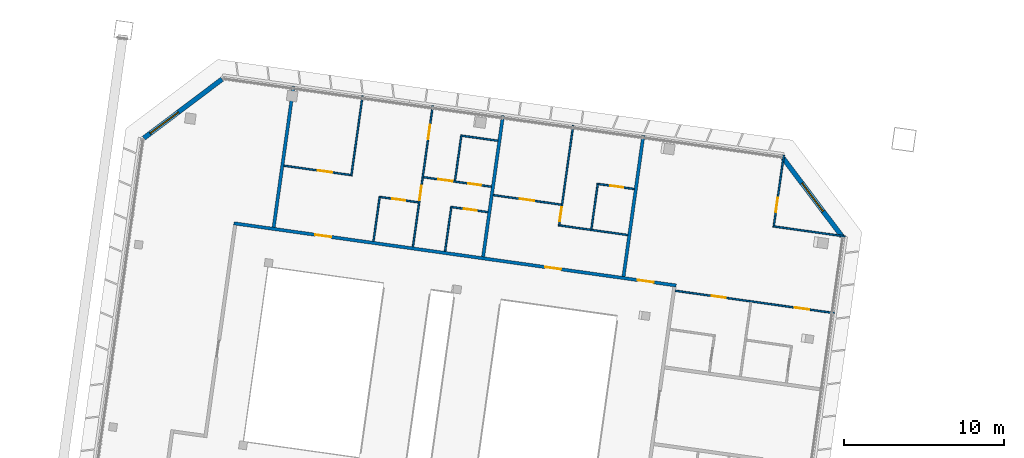
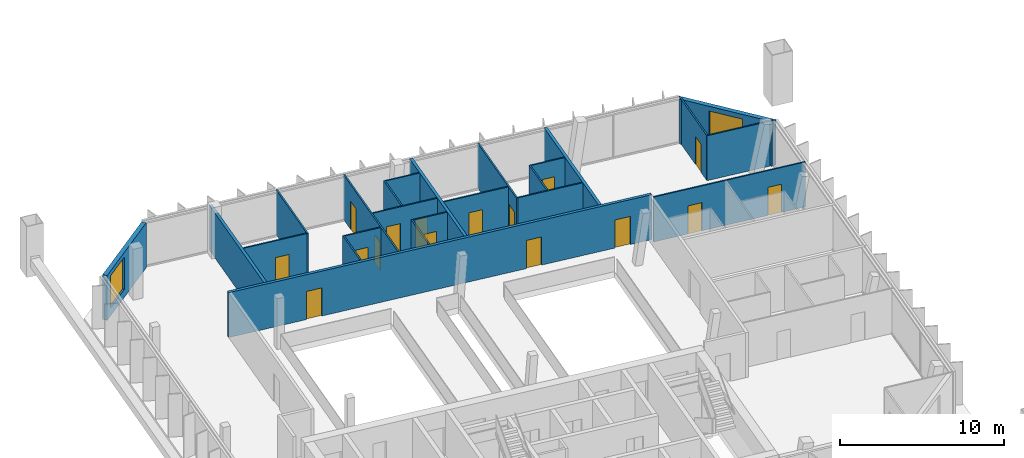
# One storey, part 18 of 26: 24 walls, 16 doors, 2 windows, 18 openings.
"""IFC4 building model written with IfcOpenShell, lengths in metres."""

from ifc_helpers import new_model, si_unit, direction, frame, frame_2d, origin, place, context, subcontext, project, spatial, rectangle, extrude, material, layer, layer_set, type_object, element, fill, save


model = new_model("IFC4")

# Units and contexts
model_context = context("Model", 3, precision=1e-05, world=origin(), true_north=direction((0.0, 1.0)))
body_context = subcontext(model_context, "Body", "Model", "MODEL_VIEW")
ifc_project = project(units=[si_unit("LENGTHUNIT", "METRE"), si_unit("AREAUNIT", "SQUARE_METRE"), si_unit("VOLUMEUNIT", "CUBIC_METRE"), si_unit("PLANEANGLEUNIT", "RADIAN"), si_unit("MASSUNIT", "GRAM", prefix="KILO")], contexts=[model_context])

# Site, building, storey
site_placement = place(None, origin())
site = spatial("IfcSite", under=ifc_project, at=site_placement, CompositionType="ELEMENT")
building_placement = place(site_placement, origin())
building = spatial("IfcBuilding", under=site, at=building_placement, Name="Mirante Cascada Hotel Towers", CompositionType="ELEMENT")
storey_placement = place(building_placement, frame((0.0, 0.0, 235.6)))
storey = spatial("IfcBuildingStorey", under=building, at=storey_placement, Name="L56", CompositionType="ELEMENT", Elevation=235.6)

# Wall, openings, doors
ifc_material_1 = material(Name="Fire-rated plasterboard on metal studs")
ifc_layer_1 = layer(ifc_material_1, 0.2)
ifc_layer_set_1 = layer_set([ifc_layer_1], Name="Compartment wall 200 EI 120")
wall_type_1 = type_object("IfcWallType", Name="Compartment wall 200 EI 120", PredefinedType="PARTITIONING", material=ifc_layer_set_1)
wall_1_placement = place(storey_placement, frame((-57.8212, 12.0083, 0.0), z_axis=(0.0, 0.0, 1.0), x_axis=(0.9902682, -0.139172, 0.0)))
wall_1 = element("IfcWall", 1, at=wall_1_placement, inside=storey, type_object=wall_type_1, Name="Wall 1-L56-14", PredefinedType="PARTITIONING", context=body_context, shape_type="SweptSolid", body=[
    extrude(rectangle(XDim=27.9, YDim=0.2, at=frame_2d((13.95, 0.0))), origin(), (0.0, 0.0, 1.0), 3.35),
])
opening_1_placement = place(wall_1_placement, frame((25.482, 0.0, 0.0)))
opening_1 = element("IfcOpeningElement", 2, at=opening_1_placement, cuts=wall_1, Name="Opening D1-L56-06", PredefinedType="OPENING", context=body_context, shape_type="SweptSolid", body=[
    extrude(rectangle(XDim=1.0, YDim=2.1, at=frame_2d((0.5, 1.05))), frame((0.0, 0.1, 0.0), z_axis=(0.0, -1.0, 0.0), x_axis=(1.0, 0.0, 0.0)), (0.0, 0.0, 1.0), 0.2),
])
opening_2_placement = place(wall_1_placement, frame((19.6366, 0.0, 0.0)))
opening_2 = element("IfcOpeningElement", 3, at=opening_2_placement, cuts=wall_1, Name="Opening D1-L56-07", PredefinedType="OPENING", context=body_context, shape_type="SweptSolid", body=[
    extrude(rectangle(XDim=1.0, YDim=2.1, at=frame_2d((0.5, 1.05))), frame((0.0, 0.1, 0.0), z_axis=(0.0, -1.0, 0.0), x_axis=(1.0, 0.0, 0.0)), (0.0, 0.0, 1.0), 0.2),
])
opening_3_placement = place(wall_1_placement, frame((5.1467, 0.0, 0.0)))
opening_3 = element("IfcOpeningElement", 4, at=opening_3_placement, cuts=wall_1, Name="Opening D1-L56-08", PredefinedType="OPENING", context=body_context, shape_type="SweptSolid", body=[
    extrude(rectangle(XDim=1.0, YDim=2.1, at=frame_2d((0.5, 1.05))), frame((0.0, 0.1, 0.0), z_axis=(0.0, -1.0, 0.0), x_axis=(1.0, 0.0, 0.0)), (0.0, 0.0, 1.0), 0.2),
])
ifc_material_2 = material(Name="Fire-rated timber door leaf", Category="wood")
door_type_1 = type_object("IfcDoorType", Name="Entrance door DG1 1000x2100 EI 60", OperationType="SINGLE_SWING_LEFT", PredefinedType="DOOR", material=ifc_material_2)
door_1_placement = place(opening_1_placement, origin())
door_1 = element("IfcDoor", 5, at=door_1_placement, inside=storey, type_object=door_type_1, Name="Door D1-L56-06", OperationType="SINGLE_SWING_LEFT", OverallHeight=2.1, OverallWidth=1.0, PredefinedType="DOOR", context=body_context, shape_type="SweptSolid", body=[
    extrude(rectangle(XDim=1.0, YDim=2.1, at=frame_2d((0.5, 1.05))), frame((0.0, 0.025, 0.0), z_axis=(0.0, -1.0, 0.0), x_axis=(1.0, 0.0, 0.0)), (0.0, 0.0, 1.0), 0.05),
])
fill(opening_1, door_1)
door_2_placement = place(opening_2_placement, origin())
door_2 = element("IfcDoor", 6, at=door_2_placement, inside=storey, type_object=door_type_1, Name="Door D1-L56-07", OperationType="SINGLE_SWING_LEFT", OverallHeight=2.1, OverallWidth=1.0, PredefinedType="DOOR", context=body_context, shape_type="SweptSolid", body=[
    extrude(rectangle(XDim=1.0, YDim=2.1, at=frame_2d((0.5, 1.05))), frame((0.0, 0.025, 0.0), z_axis=(0.0, -1.0, 0.0), x_axis=(1.0, 0.0, 0.0)), (0.0, 0.0, 1.0), 0.05),
])
fill(opening_2, door_2)
door_3_placement = place(opening_3_placement, origin())
door_3 = element("IfcDoor", 7, at=door_3_placement, inside=storey, type_object=door_type_1, Name="Door D1-L56-08", OperationType="SINGLE_SWING_LEFT", OverallHeight=2.1, OverallWidth=1.0, PredefinedType="DOOR", context=body_context, shape_type="SweptSolid", body=[
    extrude(rectangle(XDim=1.0, YDim=2.1, at=frame_2d((0.5, 1.05))), frame((0.0, 0.025, 0.0), z_axis=(0.0, -1.0, 0.0), x_axis=(1.0, 0.0, 0.0)), (0.0, 0.0, 1.0), 0.05),
])
fill(opening_3, door_3)

# Walls
for number, where, z_axis, x_axis, name in (
    (8, (-33.4824, 8.6887, 0.0), (0.0, 0.0, 1.0), (0.1391684, 0.9902687, 0.0), "Wall 1-L56-33"),
    (9, (-41.0122, 18.7344, 0.0), (0.0, 0.0, 1.0), (-0.1391684, -0.9902687, 0.0), "Wall 1-L56-36"),
    (10, (-54.0929, 20.5728, 0.0), (0.0, 0.0, 1.0), (-0.1391794, -0.9902672, 0.0), "Wall 1-L56-42"),
):
    element("IfcWall", number, at=place(storey_placement, frame(where, z_axis=z_axis, x_axis=x_axis)), inside=storey, type_object=wall_type_1, Name=name, PredefinedType="PARTITIONING", context=body_context, shape_type="SweptSolid", body=[
        extrude(rectangle(XDim=8.9, YDim=0.2, at=frame_2d((4.45, 0.0))), origin(), (0.0, 0.0, 1.0), 3.35),
    ])

# Wall, openings, doors
ifc_material_3 = material(Name="Plasterboard on metal studs")
ifc_layer_2 = layer(ifc_material_3, 0.1)
ifc_layer_set_2 = layer_set([ifc_layer_2], Name="Partition 100")
wall_type_2 = type_object("IfcWallType", Name="Partition 100", PredefinedType="PARTITIONING", material=ifc_layer_set_2)
wall_2_placement = place(storey_placement, frame((-20.3181, 6.401, 0.0), z_axis=(0.0, 0.0, 1.0), x_axis=(-0.9902681, 0.1391726, 0.0)))
wall_2 = element("IfcWall", 11, at=wall_2_placement, inside=storey, type_object=wall_type_2, Name="Wall 1-L56-13", PredefinedType="PARTITIONING", context=body_context, shape_type="SweptSolid", body=[
    extrude(rectangle(XDim=10.0185, YDim=0.1, at=frame_2d((5.0092, 0.0))), origin(), (0.0, 0.0, 1.0), 3.35),
])
opening_4_placement = place(wall_2_placement, frame((1.5796, 0.0, 0.0)))
opening_4 = element("IfcOpeningElement", 12, at=opening_4_placement, cuts=wall_2, Name="Opening D1-L56-04", PredefinedType="OPENING", context=body_context, shape_type="SweptSolid", body=[
    extrude(rectangle(XDim=0.9, YDim=2.1, at=frame_2d((0.45, 1.05))), frame((0.0, 0.05, 0.0), z_axis=(0.0, -1.0, 0.0), x_axis=(1.0, 0.0, 0.0)), (0.0, 0.0, 1.0), 0.1),
])
opening_5_placement = place(wall_2_placement, frame((6.8389, 0.0, 0.0)))
opening_5 = element("IfcOpeningElement", 13, at=opening_5_placement, cuts=wall_2, Name="Opening D1-L56-05", PredefinedType="OPENING", context=body_context, shape_type="SweptSolid", body=[
    extrude(rectangle(XDim=0.9, YDim=2.1, at=frame_2d((0.45, 1.05))), frame((0.0, 0.05, 0.0), z_axis=(0.0, -1.0, 0.0), x_axis=(1.0, 0.0, 0.0)), (0.0, 0.0, 1.0), 0.1),
])
ifc_material_4 = material(Name="Timber door leaf", Category="wood")
door_type_2 = type_object("IfcDoorType", Name="Room door DG3 900x2100", OperationType="SINGLE_SWING_LEFT", PredefinedType="DOOR", material=ifc_material_4)
door_4_placement = place(opening_4_placement, frame((0.9, 0.0, 0.0), z_axis=(0.0, 0.0, 1.0), x_axis=(-1.0, 0.0, 0.0)))
door_4 = element("IfcDoor", 14, at=door_4_placement, inside=storey, type_object=door_type_2, Name="Door D1-L56-04", OperationType="SINGLE_SWING_RIGHT", OverallHeight=2.1, OverallWidth=0.9, PredefinedType="DOOR", context=body_context, shape_type="SweptSolid", body=[
    extrude(rectangle(XDim=0.9, YDim=2.1, at=frame_2d((0.45, 1.05))), frame((0.0, 0.025, 0.0), z_axis=(0.0, -1.0, 0.0), x_axis=(1.0, 0.0, 0.0)), (0.0, 0.0, 1.0), 0.05),
])
fill(opening_4, door_4)
door_5_placement = place(opening_5_placement, frame((0.9, 0.0, 0.0), z_axis=(0.0, 0.0, 1.0), x_axis=(-1.0, 0.0, 0.0)))
door_5 = element("IfcDoor", 15, at=door_5_placement, inside=storey, type_object=door_type_2, Name="Door D1-L56-05", OperationType="SINGLE_SWING_RIGHT", OverallHeight=2.1, OverallWidth=0.9, PredefinedType="DOOR", context=body_context, shape_type="SweptSolid", body=[
    extrude(rectangle(XDim=0.9, YDim=2.1, at=frame_2d((0.45, 1.05))), frame((0.0, 0.025, 0.0), z_axis=(0.0, -1.0, 0.0), x_axis=(1.0, 0.0, 0.0)), (0.0, 0.0, 1.0), 0.05),
])
fill(opening_5, door_5)

# Wall
wall_3_placement = place(storey_placement, frame((-33.2196, 11.2773, 0.0), z_axis=(0.0, 0.0, 1.0), x_axis=(-0.9902677, 0.1391757, 0.0)))
element("IfcWall", 16, at=wall_3_placement, inside=storey, type_object=wall_type_2, Name="Wall 1-L56-15", PredefinedType="PARTITIONING", context=body_context, shape_type="SweptSolid", body=[
    extrude(rectangle(XDim=4.2773, YDim=0.1, at=frame_2d((2.1386, 0.0))), origin(), (0.0, 0.0, 1.0), 3.35),
])

# Wall, opening, door
wall_4_placement = place(storey_placement, frame((-44.1883, 13.0208, 0.0), z_axis=(0.0, 0.0, 1.0), x_axis=(0.9902705, -0.1391561, 0.0)))
wall_4 = element("IfcWall", 17, at=wall_4_placement, inside=storey, type_object=wall_type_2, Name="Wall 1-L56-16", PredefinedType="PARTITIONING", context=body_context, shape_type="SweptSolid", body=[
    extrude(rectangle(XDim=2.25, YDim=0.1, at=frame_2d((1.125, 0.0))), origin(), (0.0, 0.0, 1.0), 3.35),
])
opening_6_placement = place(wall_4_placement, frame((0.75, 0.0, 0.0)))
opening_6 = element("IfcOpeningElement", 18, at=opening_6_placement, cuts=wall_4, Name="Opening D1-L56-09", PredefinedType="OPENING", context=body_context, shape_type="SweptSolid", body=[
    extrude(rectangle(XDim=0.8, YDim=2.1, at=frame_2d((0.4, 1.05))), frame((0.0, 0.05, 0.0), z_axis=(0.0, -1.0, 0.0), x_axis=(1.0, 0.0, 0.0)), (0.0, 0.0, 1.0), 0.1),
])
ifc_material_5 = material(Name="Timber door leaf", Category="wood")
door_type_3 = type_object("IfcDoorType", Name="Bathroom door DG4 800x2100", OperationType="SINGLE_SWING_LEFT", PredefinedType="DOOR", material=ifc_material_5)
door_6_placement = place(opening_6_placement, frame((0.8, 0.0, 0.0), z_axis=(0.0, 0.0, 1.0), x_axis=(-1.0, 0.0, 0.0)))
door_6 = element("IfcDoor", 19, at=door_6_placement, inside=storey, type_object=door_type_3, Name="Door D1-L56-09", OperationType="SINGLE_SWING_RIGHT", OverallHeight=2.1, OverallWidth=0.8, PredefinedType="DOOR", context=body_context, shape_type="SweptSolid", body=[
    extrude(rectangle(XDim=0.8, YDim=2.1, at=frame_2d((0.4, 1.05))), frame((0.0, 0.025, 0.0), z_axis=(0.0, -1.0, 0.0), x_axis=(1.0, 0.0, 0.0)), (0.0, 0.0, 1.0), 0.05),
])
fill(opening_6, door_6)

wall_5_placement = place(storey_placement, frame((-46.2949, 13.3169, 0.0), z_axis=(0.0, 0.0, 1.0), x_axis=(-0.9902693, 0.1391644, 0.0)))
wall_5 = element("IfcWall", 20, at=wall_5_placement, inside=storey, type_object=wall_type_2, Name="Wall 1-L56-17", PredefinedType="PARTITIONING", context=body_context, shape_type="SweptSolid", body=[
    extrude(rectangle(XDim=2.3885, YDim=0.1, at=frame_2d((1.1942, 0.0))), origin(), (0.0, 0.0, 1.0), 3.35),
])
opening_7_placement = place(wall_5_placement, frame((0.8386, 0.0, 0.0)))
opening_7 = element("IfcOpeningElement", 21, at=opening_7_placement, cuts=wall_5, Name="Opening D1-L56-10", PredefinedType="OPENING", context=body_context, shape_type="SweptSolid", body=[
    extrude(rectangle(XDim=0.8, YDim=2.1, at=frame_2d((0.4, 1.05))), frame((0.0, 0.05, 0.0), z_axis=(0.0, -1.0, 0.0), x_axis=(1.0, 0.0, 0.0)), (0.0, 0.0, 1.0), 0.1),
])
door_7_placement = place(opening_7_placement, frame((0.8, 0.0, 0.0), z_axis=(0.0, 0.0, 1.0), x_axis=(-1.0, 0.0, 0.0)))
door_7 = element("IfcDoor", 22, at=door_7_placement, inside=storey, type_object=door_type_3, Name="Door D1-L56-10", OperationType="SINGLE_SWING_RIGHT", OverallHeight=2.1, OverallWidth=0.8, PredefinedType="DOOR", context=body_context, shape_type="SweptSolid", body=[
    extrude(rectangle(XDim=0.8, YDim=2.1, at=frame_2d((0.4, 1.05))), frame((0.0, 0.025, 0.0), z_axis=(0.0, -1.0, 0.0), x_axis=(1.0, 0.0, 0.0)), (0.0, 0.0, 1.0), 0.05),
])
fill(opening_7, door_7)

wall_6_placement = place(storey_placement, frame((-41.609, 13.7691, 0.0), z_axis=(0.0, 0.0, 1.0), x_axis=(0.9902673, -0.1391789, 0.0)))
wall_6 = element("IfcWall", 23, at=wall_6_placement, inside=storey, type_object=wall_type_2, Name="Wall 1-L56-18", PredefinedType="PARTITIONING", context=body_context, shape_type="SweptSolid", body=[
    extrude(rectangle(XDim=4.2772, YDim=0.1, at=frame_2d((2.1386, 0.0))), origin(), (0.0, 0.0, 1.0), 3.35),
])
opening_8_placement = place(wall_6_placement, frame((1.6636, 0.0, 0.0)))
opening_8 = element("IfcOpeningElement", 24, at=opening_8_placement, cuts=wall_6, Name="Opening D1-L56-11", PredefinedType="OPENING", context=body_context, shape_type="SweptSolid", body=[
    extrude(rectangle(XDim=0.9, YDim=2.1, at=frame_2d((0.45, 1.05))), frame((0.0, 0.05, 0.0), z_axis=(0.0, -1.0, 0.0), x_axis=(1.0, 0.0, 0.0)), (0.0, 0.0, 1.0), 0.1),
])
door_8_placement = place(opening_8_placement, frame((0.9, 0.0, 0.0), z_axis=(0.0, 0.0, 1.0), x_axis=(-1.0, 0.0, 0.0)))
door_8 = element("IfcDoor", 25, at=door_8_placement, inside=storey, type_object=door_type_2, Name="Door D1-L56-11", OperationType="SINGLE_SWING_RIGHT", OverallHeight=2.1, OverallWidth=0.9, PredefinedType="DOOR", context=body_context, shape_type="SweptSolid", body=[
    extrude(rectangle(XDim=0.9, YDim=2.1, at=frame_2d((0.45, 1.05))), frame((0.0, 0.025, 0.0), z_axis=(0.0, -1.0, 0.0), x_axis=(1.0, 0.0, 0.0)), (0.0, 0.0, 1.0), 0.05),
])
fill(opening_8, door_8)

wall_7_placement = place(storey_placement, frame((-50.5261, 15.0223, 0.0), z_axis=(0.0, 0.0, 1.0), x_axis=(-0.9902671, 0.1391801, 0.0)))
wall_7 = element("IfcWall", 26, at=wall_7_placement, inside=storey, type_object=wall_type_2, Name="Wall 1-L56-19", PredefinedType="PARTITIONING", context=body_context, shape_type="SweptSolid", body=[
    extrude(rectangle(XDim=4.2046, YDim=0.1, at=frame_2d((2.1023, 0.0))), origin(), (0.0, 0.0, 1.0), 3.35),
])
opening_9_placement = place(wall_7_placement, frame((1.1773, 0.0, 0.0)))
opening_9 = element("IfcOpeningElement", 27, at=opening_9_placement, cuts=wall_7, Name="Opening D1-L56-12", PredefinedType="OPENING", context=body_context, shape_type="SweptSolid", body=[
    extrude(rectangle(XDim=0.9, YDim=2.1, at=frame_2d((0.45, 1.05))), frame((0.0, 0.05, 0.0), z_axis=(0.0, -1.0, 0.0), x_axis=(1.0, 0.0, 0.0)), (0.0, 0.0, 1.0), 0.1),
])
door_9_placement = place(opening_9_placement, frame((0.9, 0.0, 0.0), z_axis=(0.0, 0.0, 1.0), x_axis=(-1.0, 0.0, 0.0)))
door_9 = element("IfcDoor", 28, at=door_9_placement, inside=storey, type_object=door_type_2, Name="Door D1-L56-12", OperationType="SINGLE_SWING_RIGHT", OverallHeight=2.1, OverallWidth=0.9, PredefinedType="DOOR", context=body_context, shape_type="SweptSolid", body=[
    extrude(rectangle(XDim=0.9, YDim=2.1, at=frame_2d((0.45, 1.05))), frame((0.0, 0.025, 0.0), z_axis=(0.0, -1.0, 0.0), x_axis=(1.0, 0.0, 0.0)), (0.0, 0.0, 1.0), 0.05),
])
fill(opening_9, door_9)

# Wall
wall_8_placement = place(storey_placement, frame((-24.1511, 11.8205, 0.0), z_axis=(0.0, 0.0, 1.0), x_axis=(0.9902691, -0.1391656, 0.0)))
element("IfcWall", 29, at=wall_8_placement, inside=storey, type_object=wall_type_2, Name="Wall 1-L56-20", PredefinedType="PARTITIONING", context=body_context, shape_type="SweptSolid", body=[
    extrude(rectangle(XDim=4.55, YDim=0.1, at=frame_2d((2.275, 0.0))), origin(), (0.0, 0.0, 1.0), 3.35),
])

# Wall, openings, doors
wall_9_placement = place(storey_placement, frame((-41.7375, 14.2921, 0.0), z_axis=(0.0, 0.0, 1.0), x_axis=(-0.9902677, 0.1391757, 0.0)))
wall_9 = element("IfcWall", 30, at=wall_9_placement, inside=storey, type_object=wall_type_2, Name="Wall 1-L56-21", PredefinedType="PARTITIONING", context=body_context, shape_type="SweptSolid", body=[
    extrude(rectangle(XDim=4.2773, YDim=0.1, at=frame_2d((2.1386, 0.0))), origin(), (0.0, 0.0, 1.0), 3.35),
])
opening_10_placement = place(wall_9_placement, frame((0.65, 0.0, 0.0)))
opening_10 = element("IfcOpeningElement", 31, at=opening_10_placement, cuts=wall_9, Name="Opening D1-L56-13", PredefinedType="OPENING", context=body_context, shape_type="SweptSolid", body=[
    extrude(rectangle(XDim=0.8, YDim=2.1, at=frame_2d((0.4, 1.05))), frame((0.0, 0.05, 0.0), z_axis=(0.0, -1.0, 0.0), x_axis=(1.0, 0.0, 0.0)), (0.0, 0.0, 1.0), 0.1),
])
opening_11_placement = place(wall_9_placement, frame((2.45, 0.0, 0.0)))
opening_11 = element("IfcOpeningElement", 32, at=opening_11_placement, cuts=wall_9, Name="Opening D1-L56-14", PredefinedType="OPENING", context=body_context, shape_type="SweptSolid", body=[
    extrude(rectangle(XDim=0.9, YDim=2.1, at=frame_2d((0.45, 1.05))), frame((0.0, 0.05, 0.0), z_axis=(0.0, -1.0, 0.0), x_axis=(1.0, 0.0, 0.0)), (0.0, 0.0, 1.0), 0.1),
])
door_10_placement = place(opening_10_placement, origin())
door_10 = element("IfcDoor", 33, at=door_10_placement, inside=storey, type_object=door_type_3, Name="Door D1-L56-13", OperationType="SINGLE_SWING_LEFT", OverallHeight=2.1, OverallWidth=0.8, PredefinedType="DOOR", context=body_context, shape_type="SweptSolid", body=[
    extrude(rectangle(XDim=0.8, YDim=2.1, at=frame_2d((0.4, 1.05))), frame((0.0, 0.025, 0.0), z_axis=(0.0, -1.0, 0.0), x_axis=(1.0, 0.0, 0.0)), (0.0, 0.0, 1.0), 0.05),
])
fill(opening_10, door_10)
door_11_placement = place(opening_11_placement, frame((0.9, 0.0, 0.0), z_axis=(0.0, 0.0, 1.0), x_axis=(-1.0, 0.0, 0.0)))
door_11 = element("IfcDoor", 34, at=door_11_placement, inside=storey, type_object=door_type_2, Name="Door D1-L56-14", OperationType="SINGLE_SWING_RIGHT", OverallHeight=2.1, OverallWidth=0.9, PredefinedType="DOOR", context=body_context, shape_type="SweptSolid", body=[
    extrude(rectangle(XDim=0.9, YDim=2.1, at=frame_2d((0.45, 1.05))), frame((0.0, 0.025, 0.0), z_axis=(0.0, -1.0, 0.0), x_axis=(1.0, 0.0, 0.0)), (0.0, 0.0, 1.0), 0.05),
])
fill(opening_11, door_11)

# Wall, opening, door
wall_10_placement = place(storey_placement, frame((-35.0441, 14.4622, 0.0), z_axis=(0.0, 0.0, 1.0), x_axis=(0.9902705, -0.1391561, 0.0)))
wall_10 = element("IfcWall", 35, at=wall_10_placement, inside=storey, type_object=wall_type_2, Name="Wall 1-L56-22", PredefinedType="PARTITIONING", context=body_context, shape_type="SweptSolid", body=[
    extrude(rectangle(XDim=2.25, YDim=0.1, at=frame_2d((1.125, 0.0))), origin(), (0.0, 0.0, 1.0), 3.35),
])
opening_12_placement = place(wall_10_placement, frame((0.75, 0.0, 0.0)))
opening_12 = element("IfcOpeningElement", 36, at=opening_12_placement, cuts=wall_10, Name="Opening D1-L56-15", PredefinedType="OPENING", context=body_context, shape_type="SweptSolid", body=[
    extrude(rectangle(XDim=0.8, YDim=2.1, at=frame_2d((0.4, 1.05))), frame((0.0, 0.05, 0.0), z_axis=(0.0, -1.0, 0.0), x_axis=(1.0, 0.0, 0.0)), (0.0, 0.0, 1.0), 0.1),
])
door_12_placement = place(opening_12_placement, origin())
door_12 = element("IfcDoor", 37, at=door_12_placement, inside=storey, type_object=door_type_3, Name="Door D1-L56-15", OperationType="SINGLE_SWING_LEFT", OverallHeight=2.1, OverallWidth=0.8, PredefinedType="DOOR", context=body_context, shape_type="SweptSolid", body=[
    extrude(rectangle(XDim=0.8, YDim=2.1, at=frame_2d((0.4, 1.05))), frame((0.0, 0.025, 0.0), z_axis=(0.0, -1.0, 0.0), x_axis=(1.0, 0.0, 0.0)), (0.0, 0.0, 1.0), 0.05),
])
fill(opening_12, door_12)

# Wall
wall_11_placement = place(storey_placement, frame((-41.3339, 17.1639, 0.0), z_axis=(0.0, 0.0, 1.0), x_axis=(-0.9902705, 0.1391561, 0.0)))
element("IfcWall", 38, at=wall_11_placement, inside=storey, type_object=wall_type_2, Name="Wall 1-L56-23", PredefinedType="PARTITIONING", context=body_context, shape_type="SweptSolid", body=[
    extrude(rectangle(XDim=2.25, YDim=0.1, at=frame_2d((1.125, 0.0))), origin(), (0.0, 0.0, 1.0), 3.35),
])

# Wall, opening, door
wall_12_placement = place(storey_placement, frame((-24.0947, 11.8631, 0.0), z_axis=(0.0, 0.0, 1.0), x_axis=(0.1391935, 0.9902652, 0.0)))
wall_12 = element("IfcWall", 39, at=wall_12_placement, inside=storey, type_object=wall_type_2, Name="Wall 1-L56-27", PredefinedType="PARTITIONING", context=body_context, shape_type="SweptSolid", body=[
    extrude(rectangle(XDim=4.4499, YDim=0.1, at=frame_2d((2.225, 0.0))), origin(), (0.0, 0.0, 1.0), 3.35),
])
opening_13_placement = place(wall_12_placement, frame((0.8583, 0.0, 0.0)))
opening_13 = element("IfcOpeningElement", 40, at=opening_13_placement, cuts=wall_12, Name="Opening D1-L56-19", PredefinedType="OPENING", context=body_context, shape_type="SweptSolid", body=[
    extrude(rectangle(XDim=0.9, YDim=2.1, at=frame_2d((0.45, 1.05))), frame((0.0, 0.05, 0.0), z_axis=(0.0, -1.0, 0.0), x_axis=(1.0, 0.0, 0.0)), (0.0, 0.0, 1.0), 0.1),
])
door_13_placement = place(opening_13_placement, origin())
door_13 = element("IfcDoor", 41, at=door_13_placement, inside=storey, type_object=door_type_2, Name="Door D1-L56-19", OperationType="SINGLE_SWING_LEFT", OverallHeight=2.1, OverallWidth=0.9, PredefinedType="DOOR", context=body_context, shape_type="SweptSolid", body=[
    extrude(rectangle(XDim=0.9, YDim=2.1, at=frame_2d((0.45, 1.05))), frame((0.0, 0.025, 0.0), z_axis=(0.0, -1.0, 0.0), x_axis=(1.0, 0.0, 0.0)), (0.0, 0.0, 1.0), 0.05),
])
fill(opening_13, door_13)

# Wall
wall_13_placement = place(storey_placement, frame((-35.0866, 14.5187, 0.0), z_axis=(0.0, 0.0, 1.0), x_axis=(-0.1391714, -0.9902683, 0.0)))
element("IfcWall", 42, at=wall_13_placement, inside=storey, type_object=wall_type_2, Name="Wall 1-L56-34", PredefinedType="PARTITIONING", context=body_context, shape_type="SweptSolid", body=[
    extrude(rectangle(XDim=2.9, YDim=0.1, at=frame_2d((1.45, 0.0))), origin(), (0.0, 0.0, 1.0), 3.35),
])

# Wall, opening, door
wall_14_placement = place(storey_placement, frame((-37.5117, 11.83, 0.0), z_axis=(0.0, 0.0, 1.0), x_axis=(0.1391656, 0.9902691, 0.0)))
wall_14 = element("IfcWall", 43, at=wall_14_placement, inside=storey, type_object=wall_type_2, Name="Wall 1-L56-35", PredefinedType="PARTITIONING", context=body_context, shape_type="SweptSolid", body=[
    extrude(rectangle(XDim=6.35, YDim=0.1, at=frame_2d((3.175, 0.0))), origin(), (0.0, 0.0, 1.0), 3.35),
])
opening_14_placement = place(wall_14_placement, frame((0.3, 0.0, 0.0)))
opening_14 = element("IfcOpeningElement", 44, at=opening_14_placement, cuts=wall_14, Name="Opening D1-L56-23", PredefinedType="OPENING", context=body_context, shape_type="SweptSolid", body=[
    extrude(rectangle(XDim=0.9, YDim=2.1, at=frame_2d((0.45, 1.05))), frame((0.0, 0.05, 0.0), z_axis=(0.0, -1.0, 0.0), x_axis=(1.0, 0.0, 0.0)), (0.0, 0.0, 1.0), 0.1),
])
door_14_placement = place(opening_14_placement, frame((0.9, 0.0, 0.0), z_axis=(0.0, 0.0, 1.0), x_axis=(-1.0, 0.0, 0.0)))
door_14 = element("IfcDoor", 45, at=door_14_placement, inside=storey, type_object=door_type_2, Name="Door D1-L56-23", OperationType="SINGLE_SWING_RIGHT", OverallHeight=2.1, OverallWidth=0.9, PredefinedType="DOOR", context=body_context, shape_type="SweptSolid", body=[
    extrude(rectangle(XDim=0.9, YDim=2.1, at=frame_2d((0.45, 1.05))), frame((0.0, 0.025, 0.0), z_axis=(0.0, -1.0, 0.0), x_axis=(1.0, 0.0, 0.0)), (0.0, 0.0, 1.0), 0.05),
])
fill(opening_14, door_14)

# Walls
wall_15_placement = place(storey_placement, frame((-44.6275, 10.255, 0.0), z_axis=(0.0, 0.0, 1.0), x_axis=(0.1391909, 0.9902656, 0.0)))
element("IfcWall", 46, at=wall_15_placement, inside=storey, type_object=wall_type_2, Name="Wall 1-L56-37", PredefinedType="PARTITIONING", context=body_context, shape_type="SweptSolid", body=[
    extrude(rectangle(XDim=2.85, YDim=0.1, at=frame_2d((1.425, 0.0))), origin(), (0.0, 0.0, 1.0), 3.35),
])
wall_16_placement = place(storey_placement, frame((-43.6046, 17.5335, 0.0), z_axis=(0.0, 0.0, 1.0), x_axis=(-0.1391714, -0.9902683, 0.0)))
element("IfcWall", 47, at=wall_16_placement, inside=storey, type_object=wall_type_2, Name="Wall 1-L56-38", PredefinedType="PARTITIONING", context=body_context, shape_type="SweptSolid", body=[
    extrude(rectangle(XDim=2.9, YDim=0.1, at=frame_2d((1.45, 0.0))), origin(), (0.0, 0.0, 1.0), 3.35),
])

# Wall, openings, doors
wall_17_placement = place(storey_placement, frame((-46.6351, 10.5372, 0.0), z_axis=(0.0, 0.0, 1.0), x_axis=(0.139181, 0.990267, 0.0)))
wall_17 = element("IfcWall", 48, at=wall_17_placement, inside=storey, type_object=wall_type_2, Name="Wall 1-L56-39", PredefinedType="PARTITIONING", context=body_context, shape_type="SweptSolid", body=[
    extrude(rectangle(XDim=8.8999, YDim=0.1, at=frame_2d((4.45, 0.0))), origin(), (0.0, 0.0, 1.0), 3.35),
])
opening_15_placement = place(wall_17_placement, frame((2.95, 0.0, 0.0)))
opening_15 = element("IfcOpeningElement", 49, at=opening_15_placement, cuts=wall_17, Name="Opening D1-L56-24", PredefinedType="OPENING", context=body_context, shape_type="SweptSolid", body=[
    extrude(rectangle(XDim=0.9, YDim=2.1, at=frame_2d((0.45, 1.05))), frame((0.0, 0.05, 0.0), z_axis=(0.0, -1.0, 0.0), x_axis=(1.0, 0.0, 0.0)), (0.0, 0.0, 1.0), 0.1),
])
opening_16_placement = place(wall_17_placement, frame((6.8, 0.0, 0.0)))
opening_16 = element("IfcOpeningElement", 50, at=opening_16_placement, cuts=wall_17, Name="Opening D1-L56-25", PredefinedType="OPENING", context=body_context, shape_type="SweptSolid", body=[
    extrude(rectangle(XDim=0.9, YDim=2.1, at=frame_2d((0.45, 1.05))), frame((0.0, 0.05, 0.0), z_axis=(0.0, -1.0, 0.0), x_axis=(1.0, 0.0, 0.0)), (0.0, 0.0, 1.0), 0.1),
])
door_15_placement = place(opening_15_placement, origin())
door_15 = element("IfcDoor", 51, at=door_15_placement, inside=storey, type_object=door_type_2, Name="Door D1-L56-24", OperationType="SINGLE_SWING_LEFT", OverallHeight=2.1, OverallWidth=0.9, PredefinedType="DOOR", context=body_context, shape_type="SweptSolid", body=[
    extrude(rectangle(XDim=0.9, YDim=2.1, at=frame_2d((0.45, 1.05))), frame((0.0, 0.025, 0.0), z_axis=(0.0, -1.0, 0.0), x_axis=(1.0, 0.0, 0.0)), (0.0, 0.0, 1.0), 0.05),
])
fill(opening_15, door_15)
door_16_placement = place(opening_16_placement, origin())
door_16 = element("IfcDoor", 52, at=door_16_placement, inside=storey, type_object=door_type_2, Name="Door D1-L56-25", OperationType="SINGLE_SWING_LEFT", OverallHeight=2.1, OverallWidth=0.9, PredefinedType="DOOR", context=body_context, shape_type="SweptSolid", body=[
    extrude(rectangle(XDim=0.9, YDim=2.1, at=frame_2d((0.45, 1.05))), frame((0.0, 0.025, 0.0), z_axis=(0.0, -1.0, 0.0), x_axis=(1.0, 0.0, 0.0)), (0.0, 0.0, 1.0), 0.05),
])
fill(opening_16, door_16)

# Walls
wall_18_placement = place(storey_placement, frame((-48.7028, 13.7058, 0.0), z_axis=(0.0, 0.0, 1.0), x_axis=(-0.1391564, -0.9902704, 0.0)))
element("IfcWall", 53, at=wall_18_placement, inside=storey, type_object=wall_type_2, Name="Wall 1-L56-40", PredefinedType="PARTITIONING", context=body_context, shape_type="SweptSolid", body=[
    extrude(rectangle(XDim=2.85, YDim=0.1, at=frame_2d((1.425, 0.0))), origin(), (0.0, 0.0, 1.0), 3.35),
])
wall_19_placement = place(storey_placement, frame((-50.4836, 14.9659, 0.0), z_axis=(0.0, 0.0, 1.0), x_axis=(0.1391893, 0.9902658, 0.0)))
element("IfcWall", 54, at=wall_19_placement, inside=storey, type_object=wall_type_2, Name="Wall 1-L56-41", PredefinedType="PARTITIONING", context=body_context, shape_type="SweptSolid", body=[
    extrude(rectangle(XDim=5.05, YDim=0.1, at=frame_2d((2.525, 0.0))), origin(), (0.0, 0.0, 1.0), 3.35),
])

# Wall, opening, window
ifc_material_6 = material(Name="Precast concrete C40/50", Category="concrete")
ifc_layer_3 = layer(ifc_material_6, 0.3)
ifc_layer_set_3 = layer_set([ifc_layer_3], Name="Precast concrete C40/50 cladding wall 300")
wall_type_3 = type_object("IfcWallType", Name="Precast concrete C40/50 cladding wall 300", PredefinedType="STANDARD", material=ifc_layer_set_3)
wall_20_placement = place(storey_placement, frame((-63.4422, 17.324, 0.0), z_axis=(0.0, 0.0, 1.0), x_axis=(0.7986362, 0.6018141, 0.0)))
wall_20 = element("IfcWall", 55, at=wall_20_placement, inside=storey, type_object=wall_type_3, Name="Corner cladding wall T1 L56 outer front", PredefinedType="STANDARD", context=body_context, shape_type="SweptSolid", body=[
    extrude(rectangle(XDim=6.1157, YDim=0.3, at=frame_2d((3.0578, 0.0))), origin(), (0.0, 0.0, 1.0), 3.35),
])
opening_17_placement = place(wall_20_placement, frame((0.4975, 0.0, 0.6)))
opening_17 = element("IfcOpeningElement", 56, at=opening_17_placement, cuts=wall_20, Name="Opening W1-56-04", PredefinedType="OPENING", context=body_context, shape_type="SweptSolid", body=[
    extrude(rectangle(XDim=2.2, YDim=2.4, at=frame_2d((1.1, 1.2))), frame((0.0, 0.15, 0.0), z_axis=(0.0, -1.0, 0.0), x_axis=(1.0, 0.0, 0.0)), (0.0, 0.0, 1.0), 0.3),
])
ifc_material_7 = material(Name="Aluminium frame with clear double glazing", Category="aluminium")
window_type = type_object("IfcWindowType", Name="Corner suite window 2200x2400", PartitioningType="DOUBLE_PANEL_VERTICAL", PredefinedType="WINDOW", material=ifc_material_7)
window_1_placement = place(opening_17_placement, origin())
window_1 = element("IfcWindow", 57, at=window_1_placement, inside=storey, type_object=window_type, Name="Window W1-56-04", OverallHeight=2.4, OverallWidth=2.2, PartitioningType="SINGLE_PANEL", PredefinedType="WINDOW", context=body_context, shape_type="SweptSolid", body=[
    extrude(rectangle(XDim=2.2, YDim=2.4, at=frame_2d((1.1, 1.2))), frame((0.0, 0.03, 0.0), z_axis=(0.0, -1.0, 0.0), x_axis=(1.0, 0.0, 0.0)), (0.0, 0.0, 1.0), 0.06),
])
fill(opening_17, window_1)

wall_21_placement = place(storey_placement, frame((-23.5204, 16.0803, 0.0), z_axis=(0.0, 0.0, 1.0), x_axis=(0.6018141, -0.7986362, 0.0)))
wall_21 = element("IfcWall", 58, at=wall_21_placement, inside=storey, type_object=wall_type_3, Name="Corner cladding wall T1 L56 front inner", PredefinedType="STANDARD", context=body_context, shape_type="SweptSolid", body=[
    extrude(rectangle(XDim=6.1157, YDim=0.3, at=frame_2d((3.0578, 0.0))), origin(), (0.0, 0.0, 1.0), 3.35),
])
opening_18_placement = place(wall_21_placement, frame((1.9578, 0.0, 0.6)))
opening_18 = element("IfcOpeningElement", 59, at=opening_18_placement, cuts=wall_21, Name="Opening W1-56-05", PredefinedType="OPENING", context=body_context, shape_type="SweptSolid", body=[
    extrude(rectangle(XDim=2.2, YDim=2.4, at=frame_2d((1.1, 1.2))), frame((0.0, 0.15, 0.0), z_axis=(0.0, -1.0, 0.0), x_axis=(1.0, 0.0, 0.0)), (0.0, 0.0, 1.0), 0.3),
])
window_2_placement = place(opening_18_placement, origin())
window_2 = element("IfcWindow", 60, at=window_2_placement, inside=storey, type_object=window_type, Name="Window W1-56-05", OverallHeight=2.4, OverallWidth=2.2, PartitioningType="SINGLE_PANEL", PredefinedType="WINDOW", context=body_context, shape_type="SweptSolid", body=[
    extrude(rectangle(XDim=2.2, YDim=2.4, at=frame_2d((1.1, 1.2))), frame((0.0, 0.03, 0.0), z_axis=(0.0, -1.0, 0.0), x_axis=(1.0, 0.0, 0.0)), (0.0, 0.0, 1.0), 0.06),
])
fill(opening_18, window_2)

save(model, "model.ifc")
